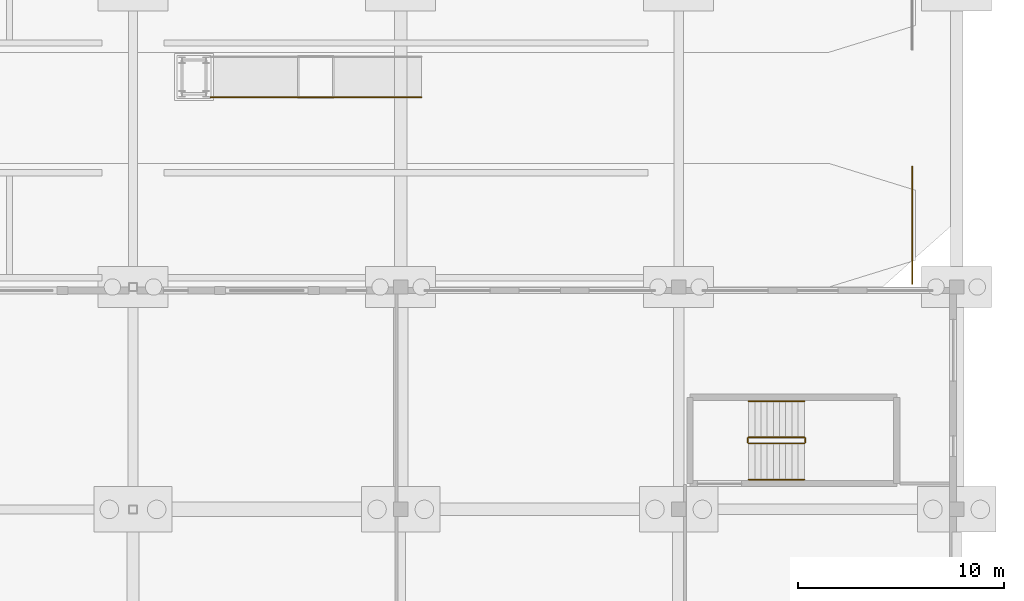
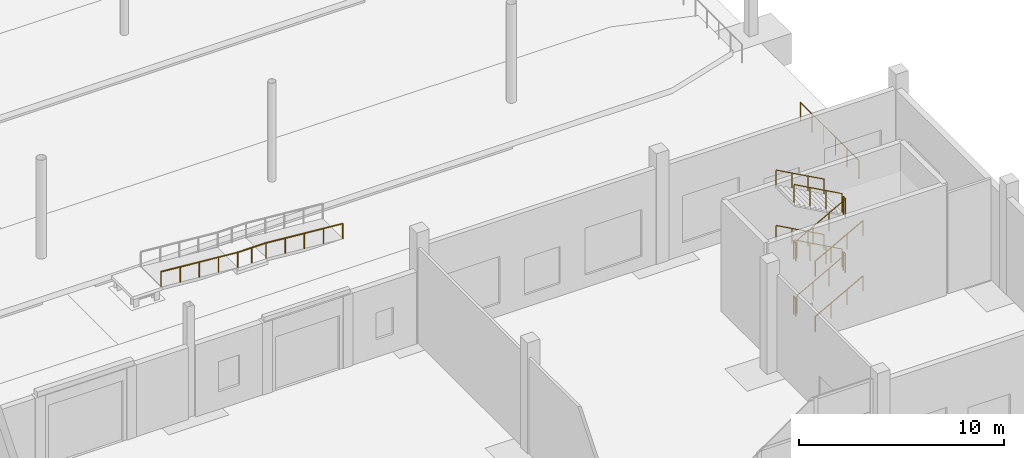
# One storey, part 112 of 115: 14 railings.
"""IFC4 building model written with IfcOpenShell, lengths in metres."""

from ifc_helpers import new_model, si_unit, direction, frame, origin, origin_2d, place, context, subcontext, project, spatial, circle, extrude, material, type_object, element, save


model = new_model("IFC4")

# Units and contexts
model_context = context("Model", 3, precision=1e-05, world=origin(), true_north=direction((0.0, 1.0)))
body_context = subcontext(model_context, "Body", "Model", "MODEL_VIEW")
ifc_project = project(units=[si_unit("LENGTHUNIT", "METRE"), si_unit("AREAUNIT", "SQUARE_METRE"), si_unit("VOLUMEUNIT", "CUBIC_METRE"), si_unit("PLANEANGLEUNIT", "RADIAN"), si_unit("MASSUNIT", "GRAM", prefix="KILO")], contexts=[model_context])

# Site, building, storey
site_placement = place(None, origin())
site = spatial("IfcSite", under=ifc_project, at=site_placement, CompositionType="ELEMENT")
building_placement = place(site_placement, origin())
building = spatial("IfcBuilding", under=site, at=building_placement, Name="Tamarisk Ironworks Central Station", CompositionType="ELEMENT")
storey_placement = place(building_placement, origin())
storey = spatial("IfcBuildingStorey", under=building, at=storey_placement, Name="L00", CompositionType="ELEMENT", Elevation=0.0)

# Railings
ifc_material = material(Name="Brushed stainless steel AISI 316", Category="steel")
railing_type_1 = type_object("IfcRailingType", Name="RL-GUARD-INT", PredefinedType="BALUSTRADE", material=ifc_material)
railing_1_placement = place(storey_placement, frame((169.89990234375, 14.0, 0.1650390625)))
element("IfcRailing", 1, at=railing_1_placement, inside=storey, type_object=railing_type_1, Name="L00 ST-C7 stair guard 1", PredefinedType="BALUSTRADE", context=body_context, shape_type="SweptSolid", body=[
    extrude(circle(Radius=0.02392578125, at=origin_2d()), frame((0.0, 0.0, 1.076171875), z_axis=(0.876249361297, 0.0, 0.481857921827), x_axis=(0.0, 1.0, 0.0)), (0.0, 0.0, 1.0), 3.08154296875),
    extrude(circle(Radius=0.02099609375, at=origin_2d()), origin(), (0.0, 0.0, 1.0), 1.052001953125),
    extrude(circle(Radius=0.02099609375, at=origin_2d()), frame((0.900146484375, 0.0, 0.494873046875)), (0.0, 0.0, 1.0), 1.052001953125),
    extrude(circle(Radius=0.02099609375, at=origin_2d()), frame((1.800048828125, 0.0, 0.989990234375)), (0.0, 0.0, 1.0), 1.052001953125),
    extrude(circle(Radius=0.02099609375, at=origin_2d()), frame((2.7001953125, 0.0, 1.48486328125)), (0.0, 0.0, 1.0), 1.052001953125),
])
railing_2_placement = place(storey_placement, frame((172.64990234375, 14.050048828125, 1.64990234375)))
element("IfcRailing", 2, at=railing_2_placement, inside=storey, type_object=railing_type_1, Name="L00 ST-C7 stair guard 2", PredefinedType="BALUSTRADE", context=body_context, shape_type="SweptSolid", body=[
    extrude(circle(Radius=0.02392578125, at=origin_2d()), frame((0.0, 0.0, 1.076171875), z_axis=(0.0, 1.0, 0.0), x_axis=(-1.0, 0.0, 0.0)), (0.0, 0.0, 1.0), 0.199951171875),
    extrude(circle(Radius=0.02099609375, at=origin_2d()), origin(), (0.0, 0.0, 1.0), 1.052001953125),
    extrude(circle(Radius=0.02099609375, at=origin_2d()), frame((0.0, 0.199951171875, 0.0)), (0.0, 0.0, 1.0), 1.052001953125),
])
railing_3_placement = place(storey_placement, frame((172.60009765625, 14.300048828125, 1.81494140625)))
element("IfcRailing", 3, at=railing_3_placement, inside=storey, type_object=railing_type_1, Name="L00 ST-C7 stair guard 3", PredefinedType="BALUSTRADE", context=body_context, shape_type="SweptSolid", body=[
    extrude(circle(Radius=0.02392578125, at=origin_2d()), frame((0.0, 0.0, 1.076171875), z_axis=(-0.876215908677, 0.0, 0.481918749772), x_axis=(0.0, -1.0, 0.0)), (0.0, 0.0, 1.0), 3.08154296875),
    extrude(circle(Radius=0.02099609375, at=origin_2d()), origin(), (0.0, 0.0, 1.0), 1.052001953125),
    extrude(circle(Radius=0.02099609375, at=origin_2d()), frame((-0.900146484375, 0.0, 0.4951171875)), (0.0, 0.0, 1.0), 1.052001953125),
    extrude(circle(Radius=0.02099609375, at=origin_2d()), frame((-1.800048828125, 0.0, 0.989990234375)), (0.0, 0.0, 1.0), 1.052001953125),
    extrude(circle(Radius=0.02099609375, at=origin_2d()), frame((-2.7001953125, 0.0, 1.485107421875)), (0.0, 0.0, 1.0), 1.052001953125),
])
railing_4_placement = place(storey_placement, frame((169.85009765625, 14.050048828125, 3.300048828125)))
element("IfcRailing", 4, at=railing_4_placement, inside=storey, type_object=railing_type_1, Name="L00 ST-C7 stair guard 4", PredefinedType="BALUSTRADE", context=body_context, shape_type="SweptSolid", body=[
    extrude(circle(Radius=0.02392578125, at=origin_2d()), frame((0.0, 0.0, 1.076171875), z_axis=(0.0, 1.0, 0.0), x_axis=(-1.0, 0.0, 0.0)), (0.0, 0.0, 1.0), 0.199951171875),
    extrude(circle(Radius=0.02099609375, at=origin_2d()), origin(), (0.0, 0.0, 1.0), 1.052001953125),
    extrude(circle(Radius=0.02099609375, at=origin_2d()), frame((0.0, 0.199951171875, 0.0)), (0.0, 0.0, 1.0), 1.052001953125),
])
railing_5_placement = place(storey_placement, frame((169.89990234375, 14.0, 3.465087890625)))
element("IfcRailing", 5, at=railing_5_placement, inside=storey, type_object=railing_type_1, Name="L00 ST-C7 stair guard 5", PredefinedType="BALUSTRADE", context=body_context, shape_type="SweptSolid", body=[
    extrude(circle(Radius=0.02392578125, at=origin_2d()), frame((0.0, 0.0, 1.076171875), z_axis=(0.876249361297, 0.0, 0.481857921827), x_axis=(0.0, 1.0, 0.0)), (0.0, 0.0, 1.0), 3.08154296875),
    extrude(circle(Radius=0.02099609375, at=origin_2d()), origin(), (0.0, 0.0, 1.0), 1.052001953125),
    extrude(circle(Radius=0.02099609375, at=origin_2d()), frame((0.900146484375, 0.0, 0.494873046875)), (0.0, 0.0, 1.0), 1.052001953125),
    extrude(circle(Radius=0.02099609375, at=origin_2d()), frame((1.800048828125, 0.0, 0.989990234375)), (0.0, 0.0, 1.0), 1.052001953125),
    extrude(circle(Radius=0.02099609375, at=origin_2d()), frame((2.7001953125, 0.0, 1.48486328125)), (0.0, 0.0, 1.0), 1.052001953125),
])
railing_6_placement = place(storey_placement, frame((172.64990234375, 14.050048828125, 4.949951171875)))
element("IfcRailing", 6, at=railing_6_placement, inside=storey, type_object=railing_type_1, Name="L00 ST-C7 stair guard 6", PredefinedType="BALUSTRADE", context=body_context, shape_type="SweptSolid", body=[
    extrude(circle(Radius=0.02392578125, at=origin_2d()), frame((0.0, 0.0, 1.076171875), z_axis=(0.0, 1.0, 0.0), x_axis=(-1.0, 0.0, 0.0)), (0.0, 0.0, 1.0), 0.199951171875),
    extrude(circle(Radius=0.02099609375, at=origin_2d()), origin(), (0.0, 0.0, 1.0), 1.052001953125),
    extrude(circle(Radius=0.02099609375, at=origin_2d()), frame((0.0, 0.199951171875, 0.0)), (0.0, 0.0, 1.0), 1.052001953125),
])
railing_7_placement = place(storey_placement, frame((172.60009765625, 14.300048828125, 5.114990234375)))
element("IfcRailing", 7, at=railing_7_placement, inside=storey, type_object=railing_type_1, Name="L00 ST-C7 stair guard 7", PredefinedType="BALUSTRADE", context=body_context, shape_type="SweptSolid", body=[
    extrude(circle(Radius=0.02392578125, at=origin_2d()), frame((0.0, 0.0, 1.076171875), z_axis=(-0.876215908677, 0.0, 0.481918749772), x_axis=(0.0, -1.0, 0.0)), (0.0, 0.0, 1.0), 3.08154296875),
    extrude(circle(Radius=0.02099609375, at=origin_2d()), origin(), (0.0, 0.0, 1.0), 1.052001953125),
    extrude(circle(Radius=0.02099609375, at=origin_2d()), frame((-0.900146484375, 0.0, 0.4951171875)), (0.0, 0.0, 1.0), 1.052001953125),
    extrude(circle(Radius=0.02099609375, at=origin_2d()), frame((-1.800048828125, 0.0, 0.989990234375)), (0.0, 0.0, 1.0), 1.052001953125),
    extrude(circle(Radius=0.02099609375, at=origin_2d()), frame((-2.7001953125, 0.0, 1.485107421875)), (0.0, 0.0, 1.0), 1.052001953125),
])
railing_8_placement = place(storey_placement, frame((169.85009765625, 14.050048828125, 0.0)))
element("IfcRailing", 8, at=railing_8_placement, inside=storey, type_object=railing_type_1, Name="L00 ST-C7 stair guard 8", PredefinedType="BALUSTRADE", context=body_context, shape_type="SweptSolid", body=[
    extrude(circle(Radius=0.02392578125, at=origin_2d()), frame((0.0, 0.0, 1.076171875), z_axis=(0.0, 1.0, 0.0), x_axis=(-1.0, 0.0, 0.0)), (0.0, 0.0, 1.0), 0.199951171875),
    extrude(circle(Radius=0.02099609375, at=origin_2d()), origin(), (0.0, 0.0, 1.0), 1.052001953125),
    extrude(circle(Radius=0.02099609375, at=origin_2d()), frame((0.0, 0.199951171875, 0.0)), (0.0, 0.0, 1.0), 1.052001953125),
])
railing_9_placement = place(storey_placement, frame((177.85009765625, 21.75, 0.719970703125)))
element("IfcRailing", 9, at=railing_9_placement, inside=storey, type_object=railing_type_1, Name="P1 east buffer-end safety guard", PredefinedType="BALUSTRADE", context=body_context, shape_type="SweptSolid", body=[
    extrude(circle(Radius=0.02392578125, at=origin_2d()), frame((0.0, 0.0, 1.09619140625), z_axis=(0.0, 1.0, 0.0), x_axis=(-1.0, 0.0, 0.0)), (0.0, 0.0, 1.0), 5.699951171875),
    extrude(circle(Radius=0.02099609375, at=origin_2d()), origin(), (0.0, 0.0, 1.0), 1.072021484375),
    extrude(circle(Radius=0.02099609375, at=origin_2d()), frame((0.0, 1.139892578125, 0.0)), (0.0, 0.0, 1.0), 1.072021484375),
    extrude(circle(Radius=0.02099609375, at=origin_2d()), frame((0.0, 2.280029296875, 0.0)), (0.0, 0.0, 1.0), 1.072021484375),
    extrude(circle(Radius=0.02099609375, at=origin_2d()), frame((0.0, 3.419921875, 0.0)), (0.0, 0.0, 1.0), 1.072021484375),
    extrude(circle(Radius=0.02099609375, at=origin_2d()), frame((0.0, 4.56005859375, 0.0)), (0.0, 0.0, 1.0), 1.072021484375),
    extrude(circle(Radius=0.02099609375, at=origin_2d()), frame((0.0, 5.699951171875, 0.0)), (0.0, 0.0, 1.0), 1.072021484375),
])
railing_type_2 = type_object("IfcRailingType", Name="RL-HAND", PredefinedType="HANDRAIL", material=ifc_material)
railing_10_placement = place(storey_placement, frame((169.89990234375, 12.25, 0.1650390625)))
element("IfcRailing", 10, at=railing_10_placement, inside=storey, type_object=railing_type_2, Name="L00 ST-C7 stair handrail 1", PredefinedType="HANDRAIL", context=body_context, shape_type="SweptSolid", body=[
    extrude(circle(Radius=0.02392578125, at=origin_2d()), frame((0.0, 0.0, 0.8759765625), z_axis=(0.876249361297, 0.0, 0.481857921827), x_axis=(0.0, 1.0, 0.0)), (0.0, 0.0, 1.0), 3.08154296875),
    extrude(circle(Radius=0.02099609375, at=origin_2d()), origin(), (0.0, 0.0, 1.0), 0.851806640625),
    extrude(circle(Radius=0.02099609375, at=origin_2d()), frame((0.900146484375, 0.0, 0.494873046875)), (0.0, 0.0, 1.0), 0.851806640625),
    extrude(circle(Radius=0.02099609375, at=origin_2d()), frame((1.800048828125, 0.0, 0.989990234375)), (0.0, 0.0, 1.0), 0.851806640625),
    extrude(circle(Radius=0.02099609375, at=origin_2d()), frame((2.7001953125, 0.0, 1.48486328125)), (0.0, 0.0, 1.0), 0.851806640625),
])
railing_11_placement = place(storey_placement, frame((172.60009765625, 16.050048828125, 1.81494140625)))
element("IfcRailing", 11, at=railing_11_placement, inside=storey, type_object=railing_type_2, Name="L00 ST-C7 stair handrail 2", PredefinedType="HANDRAIL", context=body_context, shape_type="SweptSolid", body=[
    extrude(circle(Radius=0.02392578125, at=origin_2d()), frame((0.0, 0.0, 0.8759765625), z_axis=(-0.876215908677, 0.0, 0.481918749772), x_axis=(0.0, -1.0, 0.0)), (0.0, 0.0, 1.0), 3.08154296875),
    extrude(circle(Radius=0.02099609375, at=origin_2d()), origin(), (0.0, 0.0, 1.0), 0.851806640625),
    extrude(circle(Radius=0.02099609375, at=origin_2d()), frame((-0.900146484375, 0.0, 0.4951171875)), (0.0, 0.0, 1.0), 0.851806640625),
    extrude(circle(Radius=0.02099609375, at=origin_2d()), frame((-1.800048828125, 0.0, 0.989990234375)), (0.0, 0.0, 1.0), 0.851806640625),
    extrude(circle(Radius=0.02099609375, at=origin_2d()), frame((-2.7001953125, 0.0, 1.485107421875)), (0.0, 0.0, 1.0), 0.851806640625),
])
railing_12_placement = place(storey_placement, frame((169.89990234375, 12.25, 3.465087890625)))
element("IfcRailing", 12, at=railing_12_placement, inside=storey, type_object=railing_type_2, Name="L00 ST-C7 stair handrail 3", PredefinedType="HANDRAIL", context=body_context, shape_type="SweptSolid", body=[
    extrude(circle(Radius=0.02392578125, at=origin_2d()), frame((0.0, 0.0, 0.8759765625), z_axis=(0.876249361297, 0.0, 0.481857921827), x_axis=(0.0, 1.0, 0.0)), (0.0, 0.0, 1.0), 3.08154296875),
    extrude(circle(Radius=0.02099609375, at=origin_2d()), origin(), (0.0, 0.0, 1.0), 0.851806640625),
    extrude(circle(Radius=0.02099609375, at=origin_2d()), frame((0.900146484375, 0.0, 0.494873046875)), (0.0, 0.0, 1.0), 0.851806640625),
    extrude(circle(Radius=0.02099609375, at=origin_2d()), frame((1.800048828125, 0.0, 0.989990234375)), (0.0, 0.0, 1.0), 0.851806640625),
    extrude(circle(Radius=0.02099609375, at=origin_2d()), frame((2.7001953125, 0.0, 1.48486328125)), (0.0, 0.0, 1.0), 0.851806640625),
])
railing_13_placement = place(storey_placement, frame((172.60009765625, 16.050048828125, 5.114990234375)))
element("IfcRailing", 13, at=railing_13_placement, inside=storey, type_object=railing_type_2, Name="L00 ST-C7 stair handrail 4", PredefinedType="HANDRAIL", context=body_context, shape_type="SweptSolid", body=[
    extrude(circle(Radius=0.02392578125, at=origin_2d()), frame((0.0, 0.0, 0.8759765625), z_axis=(-0.876215908677, 0.0, 0.481918749772), x_axis=(0.0, -1.0, 0.0)), (0.0, 0.0, 1.0), 3.08154296875),
    extrude(circle(Radius=0.02099609375, at=origin_2d()), origin(), (0.0, 0.0, 1.0), 0.851806640625),
    extrude(circle(Radius=0.02099609375, at=origin_2d()), frame((-0.900146484375, 0.0, 0.4951171875)), (0.0, 0.0, 1.0), 0.851806640625),
    extrude(circle(Radius=0.02099609375, at=origin_2d()), frame((-1.800048828125, 0.0, 0.989990234375)), (0.0, 0.0, 1.0), 0.851806640625),
    extrude(circle(Radius=0.02099609375, at=origin_2d()), frame((-2.7001953125, 0.0, 1.485107421875)), (0.0, 0.0, 1.0), 0.851806640625),
])
railing_type_3 = type_object("IfcRailingType", Name="RL-RAMP", PredefinedType="HANDRAIL", material=ifc_material)
railing_14_placement = place(storey_placement, frame((154.0, 30.820068359375, 0.0)))
element("IfcRailing", 14, at=railing_14_placement, inside=storey, type_object=railing_type_3, Name="RMP-P2E accessible handrail S", PredefinedType="HANDRAIL", context=body_context, shape_type="SweptSolid", body=[
    extrude(circle(Radius=0.02392578125, at=origin_2d()), frame((0.0, 0.0, 0.89599609375), z_axis=(-0.996543815979, 0.0, 0.083068783756), x_axis=(0.0, -1.0, 0.0)), (0.0, 0.0, 1.0), 4.3349609375),
    extrude(circle(Radius=0.02392578125, at=origin_2d()), frame((-4.320068359375, 0.0, 1.255859375), z_axis=(-1.0, 0.0, 0.0), x_axis=(0.0, -1.0, 0.0)), (0.0, 0.0, 1.0), 1.599853515625),
    extrude(circle(Radius=0.02392578125, at=origin_2d()), frame((-5.919921875, 0.0, 1.255859375), z_axis=(-0.996548476515, 0.0, 0.083012854161), x_axis=(0.0, -1.0, 0.0)), (0.0, 0.0, 1.0), 4.3349609375),
    extrude(circle(Radius=0.02099609375, at=origin_2d()), origin(), (0.0, 0.0, 1.0), 0.871826171875),
    extrude(circle(Radius=0.02099609375, at=origin_2d()), frame((-1.080078125, 0.0, 0.090087890625)), (0.0, 0.0, 1.0), 0.871826171875),
    extrude(circle(Radius=0.02099609375, at=origin_2d()), frame((-2.16015625, 0.0, 0.18017578125)), (0.0, 0.0, 1.0), 0.871826171875),
    extrude(circle(Radius=0.02099609375, at=origin_2d()), frame((-3.239990234375, 0.0, 0.27001953125)), (0.0, 0.0, 1.0), 0.871826171875),
    extrude(circle(Radius=0.02099609375, at=origin_2d()), frame((-4.320068359375, 0.0, 0.360107421875)), (0.0, 0.0, 1.0), 0.871826171875),
    extrude(circle(Radius=0.02099609375, at=origin_2d()), frame((-5.1201171875, 0.0, 0.360107421875)), (0.0, 0.0, 1.0), 0.871826171875),
    extrude(circle(Radius=0.02099609375, at=origin_2d()), frame((-5.919921875, 0.0, 0.360107421875)), (0.0, 0.0, 1.0), 0.871826171875),
    extrude(circle(Radius=0.02099609375, at=origin_2d()), frame((-7.0, 0.0, 0.4501953125)), (0.0, 0.0, 1.0), 0.871826171875),
    extrude(circle(Radius=0.02099609375, at=origin_2d()), frame((-8.080078125, 0.0, 0.5400390625)), (0.0, 0.0, 1.0), 0.871826171875),
    extrude(circle(Radius=0.02099609375, at=origin_2d()), frame((-9.159912109375, 0.0, 0.6298828125)), (0.0, 0.0, 1.0), 0.871826171875),
    extrude(circle(Radius=0.02099609375, at=origin_2d()), frame((-10.239990234375, 0.0, 0.719970703125)), (0.0, 0.0, 1.0), 0.871826171875),
])

save(model, "model.ifc")
